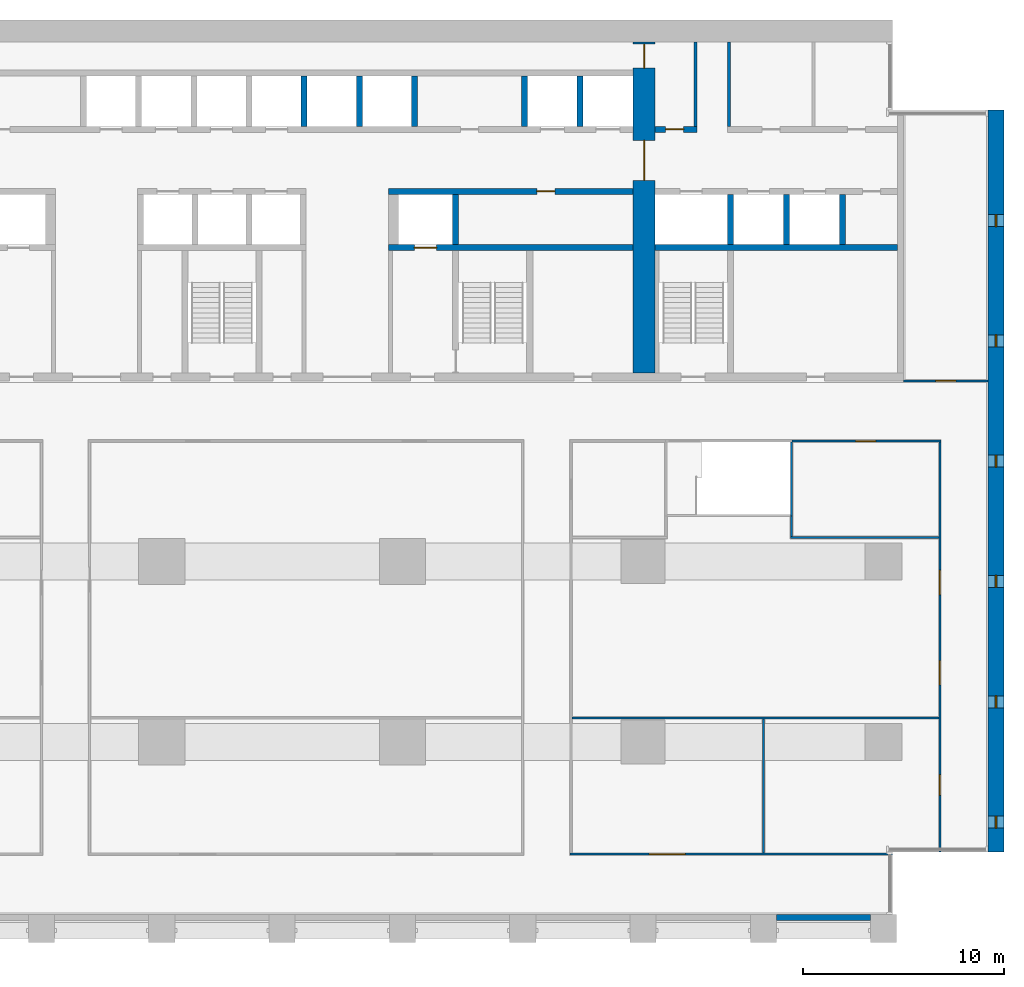
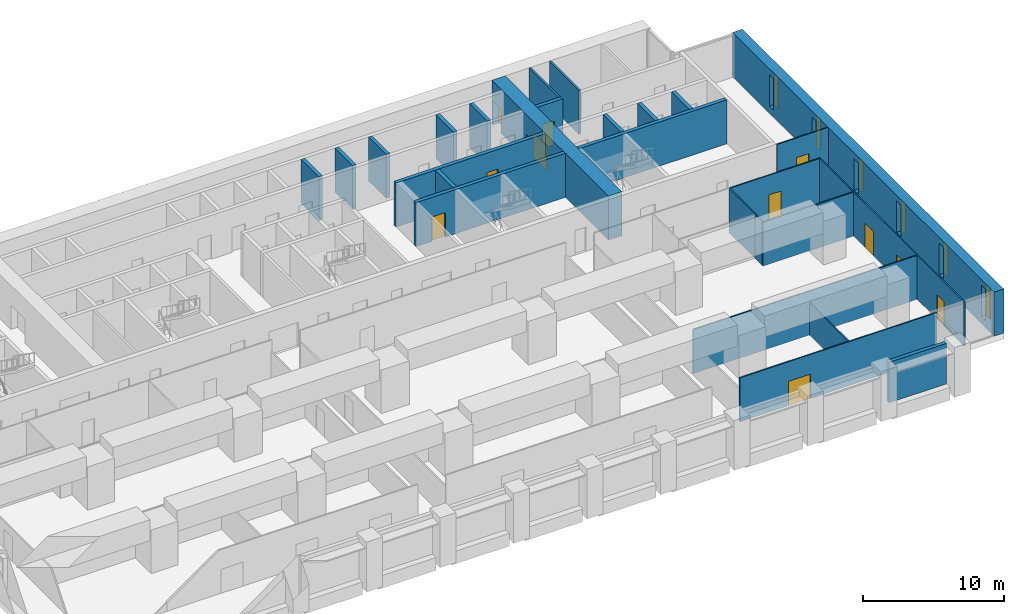
# One storey, part 12 of 17: 27 walls, 11 doors, 6 windows, 17 openings.
"""IFC4 building model written with IfcOpenShell, lengths in metres."""

from ifc_helpers import new_model, si_unit, direction, frame, frame_2d, origin, place, context, subcontext, project, spatial, rectangle, extrude, material, layer, layer_set, type_object, element, fill, save


model = new_model("IFC4")

# Units and contexts
model_context = context("Model", 3, precision=1e-05, world=origin(), true_north=direction((0.0, 1.0)))
body_context = subcontext(model_context, "Body", "Model", "MODEL_VIEW")
ifc_project = project(units=[si_unit("LENGTHUNIT", "METRE"), si_unit("AREAUNIT", "SQUARE_METRE"), si_unit("VOLUMEUNIT", "CUBIC_METRE"), si_unit("PLANEANGLEUNIT", "RADIAN"), si_unit("MASSUNIT", "GRAM", prefix="KILO")], contexts=[model_context])

# Site, building, storey
site_placement = place(None, origin())
site = spatial("IfcSite", under=ifc_project, at=site_placement, CompositionType="ELEMENT")
building_placement = place(site_placement, origin())
building = spatial("IfcBuilding", under=site, at=building_placement, Name="Calvaro Tower", CompositionType="ELEMENT")
storey_placement = place(building_placement, frame((0.0, 0.0, 17.89990234375)))
storey = spatial("IfcBuildingStorey", under=building, at=storey_placement, Name="L03", CompositionType="ELEMENT", Elevation=17.89990234375)

# Walls
ifc_material_1 = material(Name="Blockwork partition", Category="masonry")
ifc_layer_1 = layer(ifc_material_1, 0.14990234375)
ifc_layer_set_1 = layer_set([ifc_layer_1], Name="Blockwork partition")
wall_type_1 = type_object("IfcWallType", Name="Core partition 150 REI 120", PredefinedType="PARTITIONING", material=ifc_layer_set_1)
for number, where, z_axis, x_axis, name in (
    (1, (62.625, 40.699951171875, 0.0), (0.0, 0.0, 1.0), (0.0, 1.0, 0.0), "Core partition"),
    (2, (64.27490234375, 40.699951171875, 0.0), (0.0, 0.0, 1.0), (0.0, 1.0, 0.0), "Core partition"),
):
    element("IfcWall", number, at=place(storey_placement, frame(where, z_axis=z_axis, x_axis=x_axis)), inside=storey, type_object=wall_type_1, Name=name, PredefinedType="PARTITIONING", context=body_context, shape_type="SweptSolid", body=[
        extrude(rectangle(XDim=4.199951171875, YDim=0.14990234375, at=frame_2d((2.10009765625, 0.0))), origin(), (0.0, 0.0, 1.0), 3.800048828125),
    ])

# Wall, opening, door
ifc_material_2 = material(Name="Blockwork partition", Category="masonry")
ifc_layer_2 = layer(ifc_material_2, 0.300048828125)
ifc_layer_set_2 = layer_set([ifc_layer_2], Name="Blockwork partition")
wall_type_2 = type_object("IfcWallType", Name="Core partition 300 REI 120", PredefinedType="PARTITIONING", material=ifc_layer_set_2)
wall_1_placement = place(storey_placement, frame((60.60009765625, 40.550048828125, 0.0), z_axis=(0.0, 0.0, 1.0), x_axis=(1.0, 0.0, 0.0)))
wall_1 = element("IfcWall", 3, at=wall_1_placement, inside=storey, type_object=wall_type_2, Name="Core partition", PredefinedType="PARTITIONING", context=body_context, shape_type="SweptSolid", body=[
    extrude(rectangle(XDim=2.099853515625, YDim=0.300048828125, at=frame_2d((1.0498046875, 0.0))), origin(), (0.0, 0.0, 1.0), 3.800048828125),
])
opening_1_placement = place(wall_1_placement, frame((0.52490234375, 0.0, 0.0)))
opening_1 = element("IfcOpeningElement", 4, at=opening_1_placement, cuts=wall_1, Name="Opening RD9C", PredefinedType="OPENING", context=body_context, shape_type="SweptSolid", body=[
    extrude(rectangle(XDim=0.89990234375, YDim=2.10009765625, at=frame_2d((0.449951171875, 1.050048828125))), frame((0.0, 0.159912109375, 0.0), z_axis=(0.0, -1.0, 0.0), x_axis=(1.0, 0.0, 0.0)), (0.0, 0.0, 1.0), 0.320068359375),
])
ifc_material_3 = material(Name="Steel door set", Category="steel")
door_type_1 = type_object("IfcDoorType", Name="Room door 900 FD30", OperationType="SINGLE_SWING_LEFT", PredefinedType="DOOR", material=ifc_material_3)
door_1_placement = place(opening_1_placement, origin())
door_1 = element("IfcDoor", 5, at=door_1_placement, inside=storey, type_object=door_type_1, Name="Room door", OperationType="SINGLE_SWING_RIGHT", OverallHeight=2.10009765625, OverallWidth=0.89990234375, PredefinedType="DOOR", context=body_context, shape_type="SweptSolid", body=[
    extrude(rectangle(XDim=0.89990234375, YDim=2.10009765625, at=frame_2d((0.449951171875, 1.050048828125))), frame((0.0, 0.02490234375, 0.0), z_axis=(0.0, -1.0, 0.0), x_axis=(1.0, 0.0, 0.0)), (0.0, 0.0, 1.0), 0.050048828125),
])
fill(opening_1, door_1)

# Wall, openings, doors
ifc_material_4 = material(Name="Concrete C80/95", Category="concrete")
ifc_layer_3 = layer(ifc_material_4, 1.10009765625)
ifc_layer_set_3 = layer_set([ifc_layer_3], Name="Concrete C80/95")
wall_type_3 = type_object("IfcWallType", Name="Core wall C80/95 1100", PredefinedType="SHEAR", material=ifc_layer_set_3)
wall_2_placement = place(storey_placement, frame((60.050048828125, 28.39990234375, 0.0), z_axis=(0.0, 0.0, 1.0), x_axis=(0.0, 1.0, 0.0)))
wall_2 = element("IfcWall", 6, at=wall_2_placement, inside=storey, type_object=wall_type_3, Name="Core wall, cross shear wall", PredefinedType="SHEAR", context=body_context, shape_type="SweptSolid", body=[
    extrude(rectangle(XDim=16.5, YDim=1.10009765625, at=frame_2d((8.25, 0.0))), origin(), (0.0, 0.0, 1.0), 3.800048828125),
])
opening_2_placement = place(wall_2_placement, frame((9.60009765625, 0.0, 0.0)))
opening_2 = element("IfcOpeningElement", 7, at=opening_2_placement, cuts=wall_2, Name="Opening DD20D", PredefinedType="OPENING", context=body_context, shape_type="SweptSolid", body=[
    extrude(rectangle(XDim=2.0, YDim=2.10009765625, at=frame_2d((1.0, 1.050048828125))), frame((0.0, 0.56005859375, 0.0), z_axis=(0.0, -1.0, 0.0), x_axis=(1.0, 0.0, 0.0)), (0.0, 0.0, 1.0), 1.1201171875),
])
opening_3_placement = place(wall_2_placement, frame((15.199951171875, 0.0, 0.0)))
opening_3 = element("IfcOpeningElement", 8, at=opening_3_placement, cuts=wall_2, Name="Opening FD12C", PredefinedType="OPENING", context=body_context, shape_type="SweptSolid", body=[
    extrude(rectangle(XDim=1.199951171875, YDim=2.10009765625, at=frame_2d((0.60009765625, 1.050048828125))), frame((0.0, 0.56005859375, 0.0), z_axis=(0.0, -1.0, 0.0), x_axis=(1.0, 0.0, 0.0)), (0.0, 0.0, 1.0), 1.1201171875),
])
ifc_material_5 = material(Name="Steel door set", Category="steel")
door_type_2 = type_object("IfcDoorType", Name="Fire door 1200 FD30", OperationType="SINGLE_SWING_LEFT", PredefinedType="DOOR", material=ifc_material_5)
door_2_placement = place(opening_3_placement, origin())
door_2 = element("IfcDoor", 9, at=door_2_placement, inside=storey, type_object=door_type_2, Name="Fire door", OperationType="SINGLE_SWING_RIGHT", OverallHeight=2.10009765625, OverallWidth=1.199951171875, PredefinedType="DOOR", context=body_context, shape_type="SweptSolid", body=[
    extrude(rectangle(XDim=1.199951171875, YDim=2.10009765625, at=frame_2d((0.60009765625, 1.050048828125))), frame((0.0, 0.02490234375, 0.0), z_axis=(0.0, -1.0, 0.0), x_axis=(1.0, 0.0, 0.0)), (0.0, 0.0, 1.0), 0.050048828125),
])
fill(opening_3, door_2)
ifc_material_6 = material(Name="Steel door set", Category="steel")
door_type_3 = type_object("IfcDoorType", Name="Lobby double door 2000 FD30S", OperationType="DOUBLE_DOOR_SINGLE_SWING", PredefinedType="DOOR", material=ifc_material_6)
door_3_placement = place(opening_2_placement, origin())
door_3 = element("IfcDoor", 10, at=door_3_placement, inside=storey, type_object=door_type_3, Name="Lobby double door", OperationType="DOUBLE_DOOR_SINGLE_SWING", OverallHeight=2.10009765625, OverallWidth=2.0, PredefinedType="DOOR", context=body_context, shape_type="SweptSolid", body=[
    extrude(rectangle(XDim=2.0, YDim=2.10009765625, at=frame_2d((1.0, 1.050048828125))), frame((0.0, 0.02490234375, 0.0), z_axis=(0.0, -1.0, 0.0), x_axis=(1.0, 0.0, 0.0)), (0.0, 0.0, 1.0), 0.050048828125),
])
fill(opening_2, door_3)

# Wall
ifc_material_7 = material(Name="Concrete C80/95", Category="concrete")
ifc_layer_4 = layer(ifc_material_7, 0.300048828125)
ifc_layer_set_4 = layer_set([ifc_layer_4], Name="Concrete C80/95")
wall_type_4 = type_object("IfcWallType", Name="Core wall C80/95 300", PredefinedType="SHEAR", material=ifc_layer_set_4)
wall_3_placement = place(storey_placement, frame((64.35009765625, 34.800048828125, 0.0), z_axis=(0.0, 0.0, 1.0), x_axis=(0.0, 1.0, 0.0)))
element("IfcWall", 11, at=wall_3_placement, inside=storey, type_object=wall_type_4, Name="Core wall, lift shaft", PredefinedType="SHEAR", context=body_context, shape_type="SweptSolid", body=[
    extrude(rectangle(XDim=2.5, YDim=0.300048828125, at=frame_2d((1.25, 0.0))), origin(), (0.0, 0.0, 1.0), 3.800048828125),
])

# Wall, opening, door
wall_4_placement = place(storey_placement, frame((47.300048828125, 34.64990234375, 0.0), z_axis=(0.0, 0.0, 1.0), x_axis=(1.0, 0.0, 0.0)))
wall_4 = element("IfcWall", 12, at=wall_4_placement, inside=storey, type_object=wall_type_4, Name="Core wall, lift shaft", PredefinedType="SHEAR", context=body_context, shape_type="SweptSolid", body=[
    extrude(rectangle(XDim=12.199951171875, YDim=0.300048828125, at=frame_2d((6.10009765625, 0.0))), origin(), (0.0, 0.0, 1.0), 3.800048828125),
])
opening_4_placement = place(wall_4_placement, frame((1.300048828125, 0.0, 0.0)))
opening_4 = element("IfcOpeningElement", 13, at=opening_4_placement, cuts=wall_4, Name="Opening FF2", PredefinedType="OPENING", context=body_context, shape_type="SweptSolid", body=[
    extrude(rectangle(XDim=1.10009765625, YDim=2.10009765625, at=frame_2d((0.550048828125, 1.050048828125))), frame((0.0, 0.159912109375, 0.0), z_axis=(0.0, -1.0, 0.0), x_axis=(1.0, 0.0, 0.0)), (0.0, 0.0, 1.0), 0.320068359375),
])
ifc_material_8 = material(Name="Stainless steel", Category="steel")
door_type_4 = type_object("IfcDoorType", Name="Landing door 1100 E 60", OperationType="SLIDING_TO_LEFT", PredefinedType="DOOR", material=ifc_material_8)
door_4_placement = place(opening_4_placement, origin())
door_4 = element("IfcDoor", 14, at=door_4_placement, inside=storey, type_object=door_type_4, Name="Landing door FF2", OperationType="SLIDING_TO_LEFT", OverallHeight=2.10009765625, OverallWidth=1.10009765625, PredefinedType="DOOR", context=body_context, shape_type="SweptSolid", body=[
    extrude(rectangle(XDim=1.10009765625, YDim=2.10009765625, at=frame_2d((0.550048828125, 1.050048828125))), frame((0.0, 0.02490234375, 0.0), z_axis=(0.0, -1.0, 0.0), x_axis=(1.0, 0.0, 0.0)), (0.0, 0.0, 1.0), 0.050048828125),
])
fill(opening_4, door_4)

# Wall
wall_5_placement = place(storey_placement, frame((60.60009765625, 34.64990234375, 0.0), z_axis=(0.0, 0.0, 1.0), x_axis=(1.0, 0.0, 0.0)))
element("IfcWall", 15, at=wall_5_placement, inside=storey, type_object=wall_type_4, Name="Core wall, lift shaft", PredefinedType="SHEAR", context=body_context, shape_type="SweptSolid", body=[
    extrude(rectangle(XDim=12.099853515625, YDim=0.300048828125, at=frame_2d((6.0498046875, 0.0))), origin(), (0.0, 0.0, 1.0), 3.800048828125),
])

# Wall, opening, door
wall_6_placement = place(storey_placement, frame((59.5, 37.449951171875, 0.0), z_axis=(0.0, 0.0, 1.0), x_axis=(-1.0, 0.0, 0.0)))
wall_6 = element("IfcWall", 16, at=wall_6_placement, inside=storey, type_object=wall_type_4, Name="Core wall, bay", PredefinedType="SHEAR", context=body_context, shape_type="SweptSolid", body=[
    extrude(rectangle(XDim=12.199951171875, YDim=0.300048828125, at=frame_2d((6.10009765625, 0.0))), origin(), (0.0, 0.0, 1.0), 3.800048828125),
])
opening_5_placement = place(wall_6_placement, frame((3.89990234375, 0.0, 0.0)))
opening_5 = element("IfcOpeningElement", 17, at=opening_5_placement, cuts=wall_6, Name="Opening RD9E", PredefinedType="OPENING", context=body_context, shape_type="SweptSolid", body=[
    extrude(rectangle(XDim=0.89990234375, YDim=2.10009765625, at=frame_2d((0.449951171875, 1.050048828125))), frame((0.0, 0.159912109375, 0.0), z_axis=(0.0, -1.0, 0.0), x_axis=(1.0, 0.0, 0.0)), (0.0, 0.0, 1.0), 0.320068359375),
])
ifc_material_9 = material(Name="Steel door set", Category="steel")
door_type_5 = type_object("IfcDoorType", Name="Room door 900 FD60", OperationType="SINGLE_SWING_LEFT", PredefinedType="DOOR", material=ifc_material_9)
door_5_placement = place(opening_5_placement, origin())
door_5 = element("IfcDoor", 18, at=door_5_placement, inside=storey, type_object=door_type_5, Name="Room door", OperationType="SINGLE_SWING_RIGHT", OverallHeight=2.10009765625, OverallWidth=0.89990234375, PredefinedType="DOOR", context=body_context, shape_type="SweptSolid", body=[
    extrude(rectangle(XDim=0.89990234375, YDim=2.10009765625, at=frame_2d((0.449951171875, 1.050048828125))), frame((0.0, 0.02490234375, 0.0), z_axis=(0.0, -1.0, 0.0), x_axis=(1.0, 0.0, 0.0)), (0.0, 0.0, 1.0), 0.050048828125),
])
fill(opening_5, door_5)

# Walls
for number, where, z_axis, x_axis, name in (
    (19, (50.64990234375, 34.800048828125, 0.0), (0.0, 0.0, 1.0), (0.0, 1.0, 0.0), "Core wall, lift shaft"),
    (20, (43.10009765625, 40.699951171875, 0.0), (0.0, 0.0, 1.0), (0.0, 1.0, 0.0), "Core wall, lift shaft"),
    (21, (45.85009765625, 40.699951171875, 0.0), (0.0, 0.0, 1.0), (0.0, 1.0, 0.0), "Core wall, lift shaft"),
    (22, (48.60009765625, 40.699951171875, 0.0), (0.0, 0.0, 1.0), (0.0, 1.0, 0.0), "Core wall, lift shaft"),
    (23, (54.10009765625, 40.699951171875, 0.0), (0.0, 0.0, 1.0), (0.0, 1.0, 0.0), "Core wall, lift shaft"),
    (24, (56.85009765625, 40.699951171875, 0.0), (0.0, 0.0, 1.0), (0.0, 1.0, 0.0), "Core wall, lift shaft"),
    (25, (67.14990234375, 34.800048828125, 0.0), (0.0, 0.0, 1.0), (0.0, 1.0, 0.0), "Core wall, lift shaft"),
    (26, (69.949951171875, 34.800048828125, 0.0), (0.0, 0.0, 1.0), (0.0, 1.0, 0.0), "Core wall, lift shaft"),
):
    element("IfcWall", number, at=place(storey_placement, frame(where, z_axis=z_axis, x_axis=x_axis)), inside=storey, type_object=wall_type_4, Name=name, PredefinedType="SHEAR", context=body_context, shape_type="SweptSolid", body=[
        extrude(rectangle(XDim=2.5, YDim=0.300048828125, at=frame_2d((1.25, 0.0))), origin(), (0.0, 0.0, 1.0), 3.800048828125),
    ])

# Wall, openings, windows
ifc_material_10 = material(Name="Concrete C80/95", Category="concrete")
ifc_layer_5 = layer(ifc_material_10, 0.800048828125)
ifc_layer_set_5 = layer_set([ifc_layer_5], Name="Concrete C80/95")
wall_type_5 = type_object("IfcWallType", Name="End wall 800 C80/95", PredefinedType="SHEAR", material=ifc_layer_set_5)
wall_7_placement = place(storey_placement, frame((77.60009765625, 4.5, 0.0), z_axis=(0.0, 0.0, 1.0), x_axis=(0.0, 1.0, 0.0)))
wall_7 = element("IfcWall", 27, at=wall_7_placement, inside=storey, type_object=wall_type_5, Name="End shear wall", PredefinedType="SHEAR", context=body_context, shape_type="SweptSolid", body=[
    extrude(rectangle(XDim=37.0, YDim=0.800048828125, at=frame_2d((18.5, 0.0))), origin(), (0.0, 0.0, 1.0), 3.800048828125),
])
opening_6_placement = place(wall_7_placement, frame((1.199951171875, 0.0, 0.60009765625)))
opening_6 = element("IfcOpeningElement", 28, at=opening_6_placement, cuts=wall_7, Name="Opening WE01", PredefinedType="OPENING", context=body_context, shape_type="SweptSolid", body=[
    extrude(rectangle(XDim=0.60009765625, YDim=2.699951171875, at=frame_2d((0.300048828125, 1.35009765625))), frame((0.0, 0.409912109375, 0.0), z_axis=(0.0, -1.0, 0.0), x_axis=(1.0, 0.0, 0.0)), (0.0, 0.0, 1.0), 0.820068359375),
])
opening_7_placement = place(wall_7_placement, frame((7.199951171875, 0.0, 0.60009765625)))
opening_7 = element("IfcOpeningElement", 29, at=opening_7_placement, cuts=wall_7, Name="Opening WE02", PredefinedType="OPENING", context=body_context, shape_type="SweptSolid", body=[
    extrude(rectangle(XDim=0.60009765625, YDim=2.699951171875, at=frame_2d((0.300048828125, 1.35009765625))), frame((0.0, 0.409912109375, 0.0), z_axis=(0.0, -1.0, 0.0), x_axis=(1.0, 0.0, 0.0)), (0.0, 0.0, 1.0), 0.820068359375),
])
opening_8_placement = place(wall_7_placement, frame((13.199951171875, 0.0, 0.60009765625)))
opening_8 = element("IfcOpeningElement", 30, at=opening_8_placement, cuts=wall_7, Name="Opening WE03", PredefinedType="OPENING", context=body_context, shape_type="SweptSolid", body=[
    extrude(rectangle(XDim=0.60009765625, YDim=2.699951171875, at=frame_2d((0.300048828125, 1.35009765625))), frame((0.0, 0.409912109375, 0.0), z_axis=(0.0, -1.0, 0.0), x_axis=(1.0, 0.0, 0.0)), (0.0, 0.0, 1.0), 0.820068359375),
])
opening_9_placement = place(wall_7_placement, frame((19.199951171875, 0.0, 0.60009765625)))
opening_9 = element("IfcOpeningElement", 31, at=opening_9_placement, cuts=wall_7, Name="Opening WE04", PredefinedType="OPENING", context=body_context, shape_type="SweptSolid", body=[
    extrude(rectangle(XDim=0.60009765625, YDim=2.699951171875, at=frame_2d((0.300048828125, 1.35009765625))), frame((0.0, 0.409912109375, 0.0), z_axis=(0.0, -1.0, 0.0), x_axis=(1.0, 0.0, 0.0)), (0.0, 0.0, 1.0), 0.820068359375),
])
opening_10_placement = place(wall_7_placement, frame((25.199951171875, 0.0, 0.60009765625)))
opening_10 = element("IfcOpeningElement", 32, at=opening_10_placement, cuts=wall_7, Name="Opening WE05", PredefinedType="OPENING", context=body_context, shape_type="SweptSolid", body=[
    extrude(rectangle(XDim=0.60009765625, YDim=2.699951171875, at=frame_2d((0.300048828125, 1.35009765625))), frame((0.0, 0.409912109375, 0.0), z_axis=(0.0, -1.0, 0.0), x_axis=(1.0, 0.0, 0.0)), (0.0, 0.0, 1.0), 0.820068359375),
])
opening_11_placement = place(wall_7_placement, frame((31.199951171875, 0.0, 0.60009765625)))
opening_11 = element("IfcOpeningElement", 33, at=opening_11_placement, cuts=wall_7, Name="Opening WE06", PredefinedType="OPENING", context=body_context, shape_type="SweptSolid", body=[
    extrude(rectangle(XDim=0.60009765625, YDim=2.699951171875, at=frame_2d((0.300048828125, 1.35009765625))), frame((0.0, 0.409912109375, 0.0), z_axis=(0.0, -1.0, 0.0), x_axis=(1.0, 0.0, 0.0)), (0.0, 0.0, 1.0), 0.820068359375),
])
ifc_material_11 = material(Name="Glass", Category="glass")
window_type = type_object("IfcWindowType", Name="Slit window 600 x 2700", PartitioningType="SINGLE_PANEL", PredefinedType="WINDOW", material=ifc_material_11)
window_1_placement = place(opening_6_placement, origin())
window_1 = element("IfcWindow", 34, at=window_1_placement, inside=storey, type_object=window_type, Name="Window WE01", OverallHeight=2.699951171875, OverallWidth=0.60009765625, PartitioningType="SINGLE_PANEL", PredefinedType="WINDOW", context=body_context, shape_type="SweptSolid", body=[
    extrude(rectangle(XDim=0.60009765625, YDim=2.699951171875, at=frame_2d((0.300048828125, 1.35009765625))), frame((0.0, 0.030029296875, 0.0), z_axis=(0.0, -1.0, 0.0), x_axis=(1.0, 0.0, 0.0)), (0.0, 0.0, 1.0), 0.06005859375),
])
fill(opening_6, window_1)
window_2_placement = place(opening_7_placement, origin())
window_2 = element("IfcWindow", 35, at=window_2_placement, inside=storey, type_object=window_type, Name="Window WE02", OverallHeight=2.699951171875, OverallWidth=0.60009765625, PartitioningType="SINGLE_PANEL", PredefinedType="WINDOW", context=body_context, shape_type="SweptSolid", body=[
    extrude(rectangle(XDim=0.60009765625, YDim=2.699951171875, at=frame_2d((0.300048828125, 1.35009765625))), frame((0.0, 0.030029296875, 0.0), z_axis=(0.0, -1.0, 0.0), x_axis=(1.0, 0.0, 0.0)), (0.0, 0.0, 1.0), 0.06005859375),
])
fill(opening_7, window_2)
window_3_placement = place(opening_8_placement, origin())
window_3 = element("IfcWindow", 36, at=window_3_placement, inside=storey, type_object=window_type, Name="Window WE03", OverallHeight=2.699951171875, OverallWidth=0.60009765625, PartitioningType="SINGLE_PANEL", PredefinedType="WINDOW", context=body_context, shape_type="SweptSolid", body=[
    extrude(rectangle(XDim=0.60009765625, YDim=2.699951171875, at=frame_2d((0.300048828125, 1.35009765625))), frame((0.0, 0.030029296875, 0.0), z_axis=(0.0, -1.0, 0.0), x_axis=(1.0, 0.0, 0.0)), (0.0, 0.0, 1.0), 0.06005859375),
])
fill(opening_8, window_3)
window_4_placement = place(opening_9_placement, origin())
window_4 = element("IfcWindow", 37, at=window_4_placement, inside=storey, type_object=window_type, Name="Window WE04", OverallHeight=2.699951171875, OverallWidth=0.60009765625, PartitioningType="SINGLE_PANEL", PredefinedType="WINDOW", context=body_context, shape_type="SweptSolid", body=[
    extrude(rectangle(XDim=0.60009765625, YDim=2.699951171875, at=frame_2d((0.300048828125, 1.35009765625))), frame((0.0, 0.030029296875, 0.0), z_axis=(0.0, -1.0, 0.0), x_axis=(1.0, 0.0, 0.0)), (0.0, 0.0, 1.0), 0.06005859375),
])
fill(opening_9, window_4)
window_5_placement = place(opening_10_placement, origin())
window_5 = element("IfcWindow", 38, at=window_5_placement, inside=storey, type_object=window_type, Name="Window WE05", OverallHeight=2.699951171875, OverallWidth=0.60009765625, PartitioningType="SINGLE_PANEL", PredefinedType="WINDOW", context=body_context, shape_type="SweptSolid", body=[
    extrude(rectangle(XDim=0.60009765625, YDim=2.699951171875, at=frame_2d((0.300048828125, 1.35009765625))), frame((0.0, 0.030029296875, 0.0), z_axis=(0.0, -1.0, 0.0), x_axis=(1.0, 0.0, 0.0)), (0.0, 0.0, 1.0), 0.06005859375),
])
fill(opening_10, window_5)
window_6_placement = place(opening_11_placement, origin())
window_6 = element("IfcWindow", 39, at=window_6_placement, inside=storey, type_object=window_type, Name="Window WE06", OverallHeight=2.699951171875, OverallWidth=0.60009765625, PartitioningType="SINGLE_PANEL", PredefinedType="WINDOW", context=body_context, shape_type="SweptSolid", body=[
    extrude(rectangle(XDim=0.60009765625, YDim=2.699951171875, at=frame_2d((0.300048828125, 1.35009765625))), frame((0.0, 0.030029296875, 0.0), z_axis=(0.0, -1.0, 0.0), x_axis=(1.0, 0.0, 0.0)), (0.0, 0.0, 1.0), 0.06005859375),
])
fill(opening_11, window_6)

# Wall, opening, door
ifc_material_12 = material(Name="Plasterboard on steel studs", Category="steel")
ifc_layer_6 = layer(ifc_material_12, 0.10009765625)
ifc_layer_set_6 = layer_set([ifc_layer_6], Name="Plasterboard on steel studs")
wall_type_6 = type_object("IfcWallType", Name="Partition 100", PredefinedType="PARTITIONING", material=ifc_layer_set_6)
wall_8_placement = place(storey_placement, frame((56.35009765625, 4.39990234375, 0.0), z_axis=(0.0, 0.0, 1.0), x_axis=(1.0, 0.0, 0.0)))
wall_8 = element("IfcWall", 40, at=wall_8_placement, inside=storey, type_object=wall_type_6, Name="Partition T06.W003", PredefinedType="PARTITIONING", context=body_context, shape_type="SweptSolid", body=[
    extrude(rectangle(XDim=16.099853515625, YDim=0.10009765625, at=frame_2d((8.0498046875, 0.0))), origin(), (0.0, 0.0, 1.0), 3.800048828125),
])
opening_12_placement = place(wall_8_placement, frame((3.949951171875, 0.0, 0.0)))
opening_12 = element("IfcOpeningElement", 41, at=opening_12_placement, cuts=wall_8, Name="Opening T06.007", PredefinedType="OPENING", context=body_context, shape_type="SweptSolid", body=[
    extrude(rectangle(XDim=1.800048828125, YDim=2.10009765625, at=frame_2d((0.89990234375, 1.050048828125))), frame((0.0, 0.06005859375, 0.0), z_axis=(0.0, -1.0, 0.0), x_axis=(1.0, 0.0, 0.0)), (0.0, 0.0, 1.0), 0.1201171875),
])
ifc_material_13 = material(Name="Timber", Category="wood")
door_type_6 = type_object("IfcDoorType", Name="Internal double door 1800 x 2100", OperationType="DOUBLE_DOOR_SINGLE_SWING", PredefinedType="DOOR", material=ifc_material_13)
door_6_placement = place(opening_12_placement, origin())
door_6 = element("IfcDoor", 42, at=door_6_placement, inside=storey, type_object=door_type_6, Name="Door T06.007", OperationType="DOUBLE_DOOR_SINGLE_SWING", OverallHeight=2.10009765625, OverallWidth=1.800048828125, PredefinedType="DOOR", context=body_context, shape_type="SweptSolid", body=[
    extrude(rectangle(XDim=1.800048828125, YDim=2.10009765625, at=frame_2d((0.89990234375, 1.050048828125))), frame((0.0, 0.02490234375, 0.0), z_axis=(0.0, -1.0, 0.0), x_axis=(1.0, 0.0, 0.0)), (0.0, 0.0, 1.0), 0.050048828125),
])
fill(opening_12, door_6)

# Walls
wall_9_placement = place(storey_placement, frame((56.449951171875, 11.199951171875, 0.0), z_axis=(0.0, 0.0, 1.0), x_axis=(1.0, 0.0, 0.0)))
element("IfcWall", 43, at=wall_9_placement, inside=storey, type_object=wall_type_6, Name="Partition T06.W006", PredefinedType="PARTITIONING", context=body_context, shape_type="SweptSolid", body=[
    extrude(rectangle(XDim=18.300048828125, YDim=0.10009765625, at=frame_2d((9.14990234375, 0.0))), origin(), (0.0, 0.0, 1.0), 3.800048828125),
])
wall_10_placement = place(storey_placement, frame((67.35009765625, 20.199951171875, 0.0), z_axis=(0.0, 0.0, 1.0), x_axis=(1.0, 0.0, 0.0)))
element("IfcWall", 44, at=wall_10_placement, inside=storey, type_object=wall_type_6, Name="Partition T06.W009", PredefinedType="PARTITIONING", context=body_context, shape_type="SweptSolid", body=[
    extrude(rectangle(XDim=7.39990234375, YDim=0.10009765625, at=frame_2d((3.699951171875, 0.0))), origin(), (0.0, 0.0, 1.0), 3.800048828125),
])

# Wall, opening, door
wall_11_placement = place(storey_placement, frame((67.43994140625, 25.0, 0.0), z_axis=(0.0, 0.0, 1.0), x_axis=(1.0, 0.0, 0.0)))
wall_11 = element("IfcWall", 45, at=wall_11_placement, inside=storey, type_object=wall_type_6, Name="Partition T06.W017", PredefinedType="PARTITIONING", context=body_context, shape_type="SweptSolid", body=[
    extrude(rectangle(XDim=7.41015625, YDim=0.10009765625, at=frame_2d((3.705078125, 0.0))), origin(), (0.0, 0.0, 1.0), 3.800048828125),
])
opening_13_placement = place(wall_11_placement, frame((3.159912109375, 0.0, 0.0)))
opening_13 = element("IfcOpeningElement", 46, at=opening_13_placement, cuts=wall_11, Name="Opening T06.020", PredefinedType="OPENING", context=body_context, shape_type="SweptSolid", body=[
    extrude(rectangle(XDim=1.0, YDim=2.10009765625, at=frame_2d((0.5, 1.050048828125))), frame((0.0, 0.06005859375, 0.0), z_axis=(0.0, -1.0, 0.0), x_axis=(1.0, 0.0, 0.0)), (0.0, 0.0, 1.0), 0.1201171875),
])
ifc_material_14 = material(Name="Timber", Category="wood")
door_type_7 = type_object("IfcDoorType", Name="Internal single door 1000 x 2100", OperationType="SINGLE_SWING_LEFT", PredefinedType="DOOR", material=ifc_material_14)
door_7_placement = place(opening_13_placement, origin())
door_7 = element("IfcDoor", 47, at=door_7_placement, inside=storey, type_object=door_type_7, Name="Door T06.020", OperationType="SINGLE_SWING_LEFT", OverallHeight=2.10009765625, OverallWidth=1.0, PredefinedType="DOOR", context=body_context, shape_type="SweptSolid", body=[
    extrude(rectangle(XDim=1.0, YDim=2.10009765625, at=frame_2d((0.5, 1.050048828125))), frame((0.0, 0.02490234375, 0.0), z_axis=(0.0, -1.0, 0.0), x_axis=(1.0, 0.0, 0.0)), (0.0, 0.0, 1.0), 0.050048828125),
])
fill(opening_13, door_7)

wall_12_placement = place(storey_placement, frame((73.0, 28.0, 0.0), z_axis=(0.0, 0.0, 1.0), x_axis=(1.0, 0.0, 0.0)))
wall_12 = element("IfcWall", 48, at=wall_12_placement, inside=storey, type_object=wall_type_6, Name="Partition T06.W019", PredefinedType="PARTITIONING", context=body_context, shape_type="SweptSolid", body=[
    extrude(rectangle(XDim=4.199951171875, YDim=0.10009765625, at=frame_2d((2.10009765625, 0.0))), origin(), (0.0, 0.0, 1.0), 3.800048828125),
])
opening_14_placement = place(wall_12_placement, frame((1.60009765625, 0.0, 0.0)))
opening_14 = element("IfcOpeningElement", 49, at=opening_14_placement, cuts=wall_12, Name="Opening T06.023", PredefinedType="OPENING", context=body_context, shape_type="SweptSolid", body=[
    extrude(rectangle(XDim=1.0, YDim=2.10009765625, at=frame_2d((0.5, 1.050048828125))), frame((0.0, 0.06005859375, 0.0), z_axis=(0.0, -1.0, 0.0), x_axis=(1.0, 0.0, 0.0)), (0.0, 0.0, 1.0), 0.1201171875),
])
door_8_placement = place(opening_14_placement, origin())
door_8 = element("IfcDoor", 50, at=door_8_placement, inside=storey, type_object=door_type_7, Name="Door T06.023", OperationType="SINGLE_SWING_LEFT", OverallHeight=2.10009765625, OverallWidth=1.0, PredefinedType="DOOR", context=body_context, shape_type="SweptSolid", body=[
    extrude(rectangle(XDim=1.0, YDim=2.10009765625, at=frame_2d((0.5, 1.050048828125))), frame((0.0, 0.02490234375, 0.0), z_axis=(0.0, -1.0, 0.0), x_axis=(1.0, 0.0, 0.0)), (0.0, 0.0, 1.0), 0.050048828125),
])
fill(opening_14, door_8)

# Walls
wall_13_placement = place(storey_placement, frame((66.0, 4.449951171875, 0.0), z_axis=(0.0, 0.0, 1.0), x_axis=(0.0, 1.0, 0.0)))
element("IfcWall", 51, at=wall_13_placement, inside=storey, type_object=wall_type_6, Name="Partition T06.W031", PredefinedType="PARTITIONING", context=body_context, shape_type="SweptSolid", body=[
    extrude(rectangle(XDim=6.699951171875, YDim=0.10009765625, at=frame_2d((3.35009765625, 0.0))), origin(), (0.0, 0.0, 1.0), 2.800048828125),
])
wall_14_placement = place(storey_placement, frame((67.39990234375, 20.25, 0.0), z_axis=(0.0, 0.0, 1.0), x_axis=(0.0, 1.0, 0.0)))
element("IfcWall", 52, at=wall_14_placement, inside=storey, type_object=wall_type_6, Name="Partition T06.W032", PredefinedType="PARTITIONING", context=body_context, shape_type="SweptSolid", body=[
    extrude(rectangle(XDim=1.010009765625, YDim=0.10009765625, at=frame_2d((0.5048828125, 0.0))), origin(), (0.0, 0.0, 1.0), 3.800048828125),
])

# Wall, openings, doors
wall_15_placement = place(storey_placement, frame((74.800048828125, 4.5, 0.0), z_axis=(0.0, 0.0, 1.0), x_axis=(0.0, 1.0, 0.0)))
wall_15 = element("IfcWall", 53, at=wall_15_placement, inside=storey, type_object=wall_type_6, Name="Partition T06.W034", PredefinedType="PARTITIONING", context=body_context, shape_type="SweptSolid", body=[
    extrude(rectangle(XDim=20.449951171875, YDim=0.10009765625, at=frame_2d((10.22509765625, 0.0))), origin(), (0.0, 0.0, 1.0), 3.800048828125),
])
opening_15_placement = place(wall_15_placement, frame((2.85009765625, 0.0, 0.0)))
opening_15 = element("IfcOpeningElement", 54, at=opening_15_placement, cuts=wall_15, Name="Opening T06.008", PredefinedType="OPENING", context=body_context, shape_type="SweptSolid", body=[
    extrude(rectangle(XDim=1.0, YDim=2.10009765625, at=frame_2d((0.5, 1.050048828125))), frame((0.0, 0.06005859375, 0.0), z_axis=(0.0, -1.0, 0.0), x_axis=(1.0, 0.0, 0.0)), (0.0, 0.0, 1.0), 0.1201171875),
])
opening_16_placement = place(wall_15_placement, frame((8.35009765625, 0.0, 0.0)))
opening_16 = element("IfcOpeningElement", 55, at=opening_16_placement, cuts=wall_15, Name="Opening T06.012", PredefinedType="OPENING", context=body_context, shape_type="SweptSolid", body=[
    extrude(rectangle(XDim=1.199951171875, YDim=2.10009765625, at=frame_2d((0.60009765625, 1.050048828125))), frame((0.0, 0.06005859375, 0.0), z_axis=(0.0, -1.0, 0.0), x_axis=(1.0, 0.0, 0.0)), (0.0, 0.0, 1.0), 0.1201171875),
])
opening_17_placement = place(wall_15_placement, frame((12.85009765625, 0.0, 0.0)))
opening_17 = element("IfcOpeningElement", 56, at=opening_17_placement, cuts=wall_15, Name="Opening T06.013", PredefinedType="OPENING", context=body_context, shape_type="SweptSolid", body=[
    extrude(rectangle(XDim=1.199951171875, YDim=2.10009765625, at=frame_2d((0.60009765625, 1.050048828125))), frame((0.0, 0.06005859375, 0.0), z_axis=(0.0, -1.0, 0.0), x_axis=(1.0, 0.0, 0.0)), (0.0, 0.0, 1.0), 0.1201171875),
])
door_9_placement = place(opening_15_placement, origin())
door_9 = element("IfcDoor", 57, at=door_9_placement, inside=storey, type_object=door_type_7, Name="Door T06.008", OperationType="SINGLE_SWING_LEFT", OverallHeight=2.10009765625, OverallWidth=1.0, PredefinedType="DOOR", context=body_context, shape_type="SweptSolid", body=[
    extrude(rectangle(XDim=1.0, YDim=2.10009765625, at=frame_2d((0.5, 1.050048828125))), frame((0.0, 0.02490234375, 0.0), z_axis=(0.0, -1.0, 0.0), x_axis=(1.0, 0.0, 0.0)), (0.0, 0.0, 1.0), 0.050048828125),
])
fill(opening_15, door_9)
ifc_material_15 = material(Name="Timber", Category="wood")
door_type_8 = type_object("IfcDoorType", Name="Internal single door 1200 x 2100", OperationType="SINGLE_SWING_LEFT", PredefinedType="DOOR", material=ifc_material_15)
door_10_placement = place(opening_16_placement, origin())
door_10 = element("IfcDoor", 58, at=door_10_placement, inside=storey, type_object=door_type_8, Name="Door T06.012", OperationType="SINGLE_SWING_LEFT", OverallHeight=2.10009765625, OverallWidth=1.199951171875, PredefinedType="DOOR", context=body_context, shape_type="SweptSolid", body=[
    extrude(rectangle(XDim=1.199951171875, YDim=2.10009765625, at=frame_2d((0.60009765625, 1.050048828125))), frame((0.0, 0.02490234375, 0.0), z_axis=(0.0, -1.0, 0.0), x_axis=(1.0, 0.0, 0.0)), (0.0, 0.0, 1.0), 0.050048828125),
])
fill(opening_16, door_10)
door_11_placement = place(opening_17_placement, origin())
door_11 = element("IfcDoor", 59, at=door_11_placement, inside=storey, type_object=door_type_8, Name="Door T06.013", OperationType="SINGLE_SWING_RIGHT", OverallHeight=2.10009765625, OverallWidth=1.199951171875, PredefinedType="DOOR", context=body_context, shape_type="SweptSolid", body=[
    extrude(rectangle(XDim=1.199951171875, YDim=2.10009765625, at=frame_2d((0.60009765625, 1.050048828125))), frame((0.0, 0.02490234375, 0.0), z_axis=(0.0, -1.0, 0.0), x_axis=(1.0, 0.0, 0.0)), (0.0, 0.0, 1.0), 0.050048828125),
])
fill(opening_17, door_11)

# Walls
ifc_material_16 = material(Name="Concrete C40/50", Category="concrete")
ifc_layer_7 = layer(ifc_material_16, 0.10009765625)
ifc_layer_set_7 = layer_set([ifc_layer_7], Name="Concrete C40/50")
wall_type_7 = type_object("IfcWallType", Name="Stair enclosure wall 100", PredefinedType="SOLIDWALL", material=ifc_layer_set_7)
wall_16_placement = place(storey_placement, frame((67.39990234375, 21.260009765625, 0.0), z_axis=(0.0, 0.0, 1.0), x_axis=(0.0, 1.0, 0.0)))
element("IfcWall", 60, at=wall_16_placement, inside=storey, type_object=wall_type_7, Name="Stair enclosure wall T06.W033", PredefinedType="SOLIDWALL", context=body_context, shape_type="SweptSolid", body=[
    extrude(rectangle(XDim=3.68994140625, YDim=0.10009765625, at=frame_2d((1.844970703125, 0.0))), origin(), (0.0, 0.0, 1.0), 3.800048828125),
])
ifc_material_17 = material(Name="Stone faced masonry", Category="masonry")
ifc_layer_8 = layer(ifc_material_17, 0.300048828125)
ifc_layer_set_8 = layer_set([ifc_layer_8], Name="Stone faced masonry")
wall_type_8 = type_object("IfcWallType", Name="Stone faced wall 300", PredefinedType="SOLIDWALL", material=ifc_layer_set_8)
wall_17_placement = place(storey_placement, frame((66.64990234375, 1.25, 0.0), z_axis=(0.0, 0.0, 1.0), x_axis=(1.0, 0.0, 0.0)))
element("IfcWall", 61, at=wall_17_placement, inside=storey, type_object=wall_type_8, Name="Stone faced wall", PredefinedType="SOLIDWALL", context=body_context, shape_type="SweptSolid", body=[
    extrude(rectangle(XDim=4.7001953125, YDim=0.300048828125, at=frame_2d((2.35009765625, 0.0))), origin(), (0.0, 0.0, 1.0), 3.5),
])

save(model, "model.ifc")
